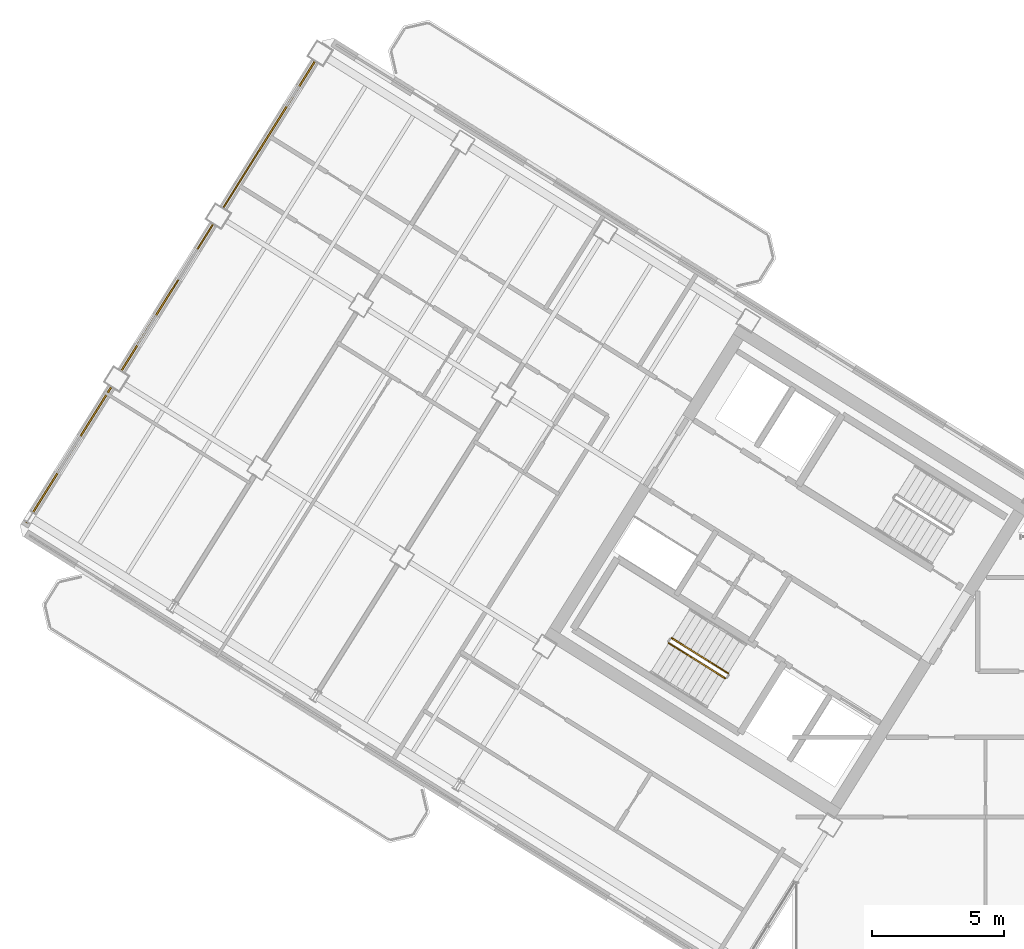
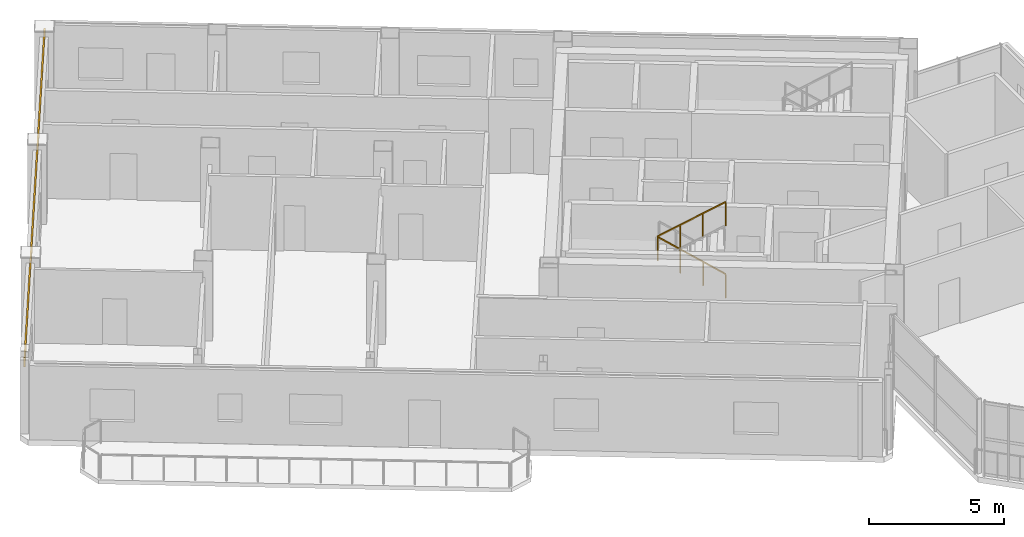
# One storey, part 14 of 17: 2 railings, 1 covering.
"""IFC4 building model written with IfcOpenShell, lengths in metres."""

from ifc_helpers import new_model, si_unit, direction, frame, origin, origin_2d, place, context, subcontext, project, spatial, rectangle, extrude, source, transform, mapped, material, layer, layer_set, type_object, element, save


model = new_model("IFC4")

# Units and contexts
model_context = context("Model", 3, precision=1e-05, world=origin(), true_north=direction((0.0, 1.0)))
body_context = subcontext(model_context, "Body", "Model", "MODEL_VIEW")
ifc_project = project(units=[si_unit("LENGTHUNIT", "METRE"), si_unit("AREAUNIT", "SQUARE_METRE"), si_unit("VOLUMEUNIT", "CUBIC_METRE"), si_unit("PLANEANGLEUNIT", "RADIAN"), si_unit("MASSUNIT", "GRAM", prefix="KILO")], contexts=[model_context])

# Site, building, storey
site_placement = place(None, origin())
site = spatial("IfcSite", under=ifc_project, at=site_placement, CompositionType="ELEMENT")
building_placement = place(site_placement, origin())
building = spatial("IfcBuilding", under=site, at=building_placement, Name="Tlacorven Tower", CompositionType="ELEMENT")
storey_placement = place(building_placement, frame((0.0, 0.0, 277.199951171875)))
storey = spatial("IfcBuildingStorey", under=building, at=storey_placement, Name="L70", CompositionType="ELEMENT", Elevation=277.199951171875)

# Covering
ifc_material_1 = material(Name="Precast concrete C45/55", Category="concrete")
ifc_layer = layer(ifc_material_1, 0.06005859375)
ifc_layer_set = layer_set([ifc_layer], Name="Precast concrete C45/55")
covering_type = type_object("IfcCoveringType", Name="CV-CLD-TERC", PredefinedType="CLADDING", material=ifc_layer_set)
shared_shape_1 = source(origin(), body_context, "Body", "SweptSolid", [
    extrude(rectangle(XDim=21.287353515625, YDim=0.06005859375, at=origin_2d()), origin(), (0.0, 0.0, 1.0), 0.419921875),
])
covering_placement = place(storey_placement, frame((8.13427734375, 32.606201171875, 2.93017578125), z_axis=(0.0, 0.0, 1.0), x_axis=(0.529918940959, 0.84804829816, 0.0)))
element("IfcCovering", 1, at=covering_placement, inside=storey, type_object=covering_type, Name="L70 Masonry-Frame Spandrel Cladding 3", PredefinedType="CLADDING", context=body_context, shape_type="MappedRepresentation", body=[
    mapped(shared_shape_1, transform((0.0, 0.0, 0.0), scale=1.0)),
])

# Railings
ifc_material_2 = material(Name="Aluminium and painted steel balustrade", Category="steel")
railing_type = type_object("IfcRailingType", Name="RL-GRD-1100", PredefinedType="GUARDRAIL", material=ifc_material_2)
shared_shape_2 = source(origin(), body_context, "Body", "SweptSolid", [
    extrude(rectangle(XDim=0.048095703125, YDim=0.048095703125, at=origin_2d()), frame((0.0, 0.0, 1.076171875), z_axis=(-0.713319727316, 0.445773895627, 0.540796265334), x_axis=(-0.529955395941, -0.84802551749, 0.0)), (0.0, 0.0, 1.0), 2.995849609375),
    extrude(rectangle(XDim=0.0419921875, YDim=0.0419921875, at=origin_2d()), origin(), (0.0, 0.0, 1.0), 1.052001953125),
    extrude(rectangle(XDim=0.0419921875, YDim=0.0419921875, at=origin_2d()), frame((-0.71240234375, 0.445068359375, 0.5400390625)), (0.0, 0.0, 1.0), 1.052001953125),
    extrude(rectangle(XDim=0.0419921875, YDim=0.0419921875, at=origin_2d()), frame((-1.424560546875, 0.890380859375, 1.080078125)), (0.0, 0.0, 1.0), 1.052001953125),
    extrude(rectangle(XDim=0.0419921875, YDim=0.0419921875, at=origin_2d()), frame((-2.136962890625, 1.33544921875, 1.6201171875)), (0.0, 0.0, 1.0), 1.052001953125),
])
railing_1_placement = place(storey_placement, frame((29.16064453125, 17.851806640625, 0.179931640625)))
element("IfcRailing", 2, at=railing_1_placement, inside=storey, type_object=railing_type, Name="L70 ST-W1 stair guard 1", PredefinedType="GUARDRAIL", context=body_context, shape_type="MappedRepresentation", body=[
    mapped(shared_shape_2, transform((0.0, 0.0, 0.0), scale=1.0)),
])
shared_shape_3 = source(origin(), body_context, "Body", "SweptSolid", [
    extrude(rectangle(XDim=0.048095703125, YDim=0.048095703125, at=origin_2d()), frame((0.0, 0.0, 1.076171875), z_axis=(0.713359751793, -0.4457479829, 0.540764828981), x_axis=(0.529911857636, 0.848052724267, 0.0)), (0.0, 0.0, 1.0), 2.99609375),
    extrude(rectangle(XDim=0.0419921875, YDim=0.0419921875, at=origin_2d()), origin(), (0.0, 0.0, 1.0), 1.052001953125),
    extrude(rectangle(XDim=0.0419921875, YDim=0.0419921875, at=origin_2d()), frame((0.71240234375, -0.445068359375, 0.5400390625)), (0.0, 0.0, 1.0), 1.052001953125),
    extrude(rectangle(XDim=0.0419921875, YDim=0.0419921875, at=origin_2d()), frame((1.4248046875, -0.890380859375, 1.080078125)), (0.0, 0.0, 1.0), 1.052001953125),
    extrude(rectangle(XDim=0.0419921875, YDim=0.0419921875, at=origin_2d()), frame((2.13720703125, -1.33544921875, 1.6201171875)), (0.0, 0.0, 1.0), 1.052001953125),
])
railing_2_placement = place(storey_placement, frame((26.906982421875, 19.000732421875, 1.97998046875)))
element("IfcRailing", 3, at=railing_2_placement, inside=storey, type_object=railing_type, Name="L70 ST-W1 stair guard 3", PredefinedType="GUARDRAIL", context=body_context, shape_type="MappedRepresentation", body=[
    mapped(shared_shape_3, transform((0.0, 0.0, 0.0), scale=1.0)),
])

save(model, "model.ifc")
